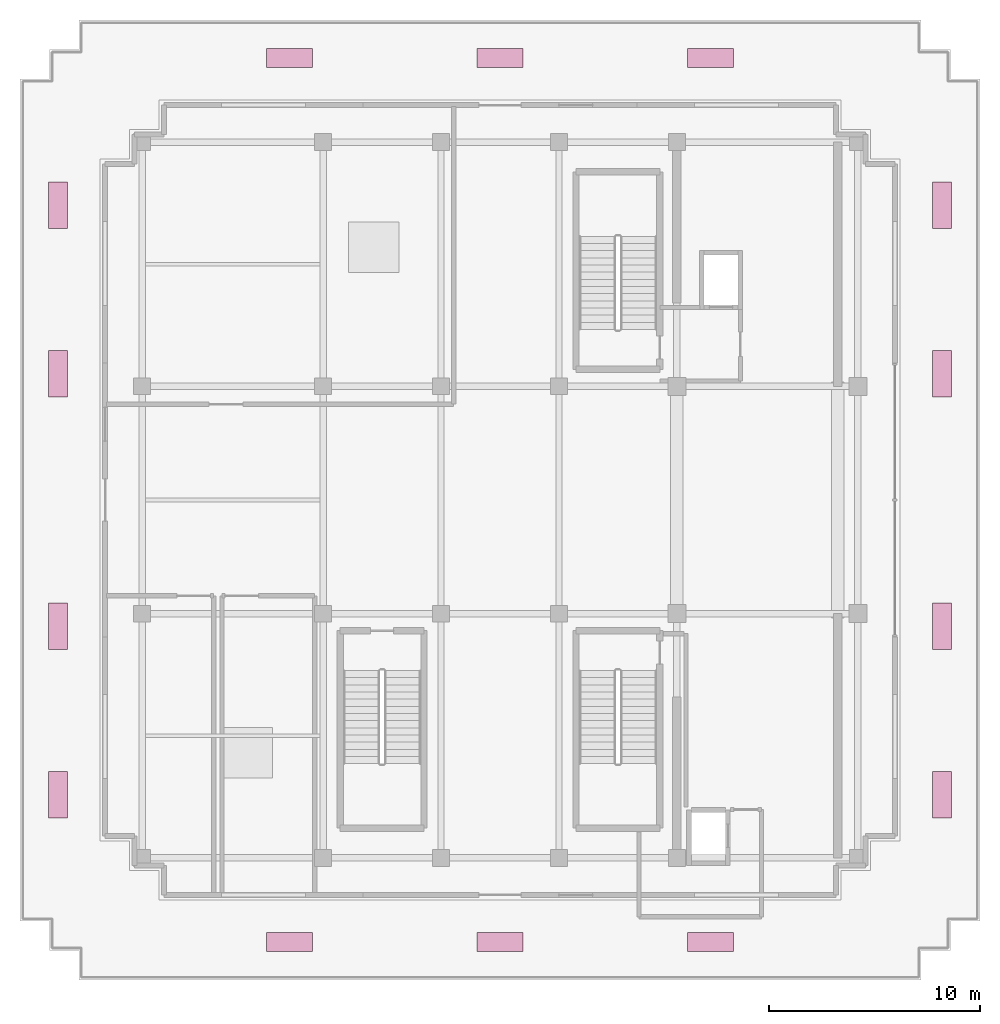
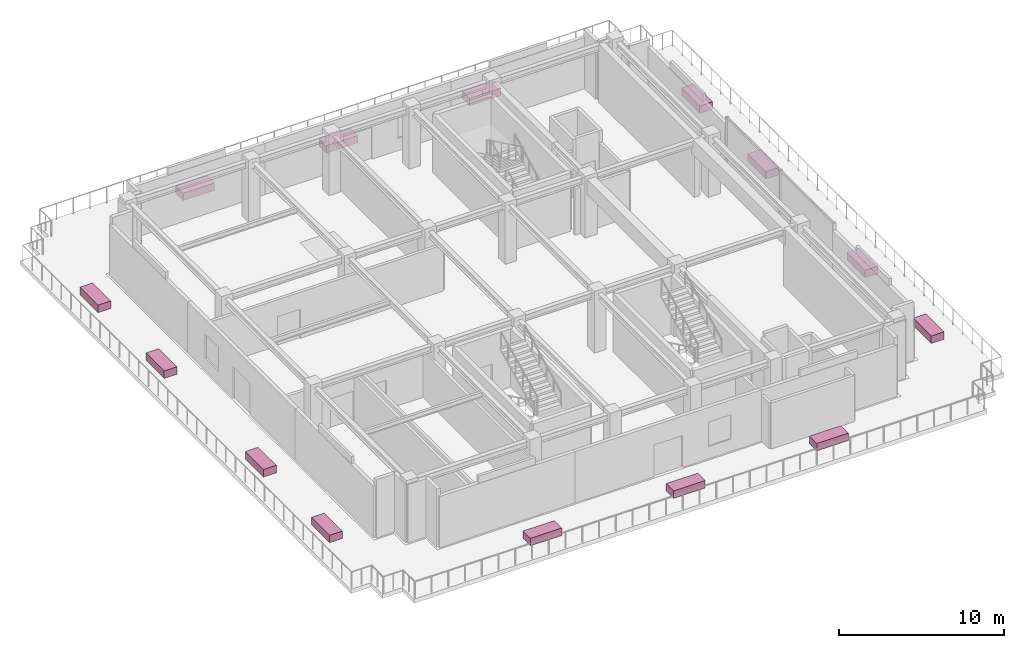
# One storey, part 13 of 13: 14 furnishings.
"""IFC4 building model written with IfcOpenShell, lengths in metres."""

from ifc_helpers import new_model, si_unit, direction, frame, origin, origin_2d, place, context, subcontext, project, spatial, rectangle, extrude, source, transform, mapped, material, type_object, element, save


model = new_model("IFC4")

# Units and contexts
model_context = context("Model", 3, precision=1e-05, world=origin(), true_north=direction((0.0, 1.0)))
body_context = subcontext(model_context, "Body", "Model", "MODEL_VIEW")
ifc_project = project(units=[si_unit("LENGTHUNIT", "METRE"), si_unit("AREAUNIT", "SQUARE_METRE"), si_unit("VOLUMEUNIT", "CUBIC_METRE"), si_unit("PLANEANGLEUNIT", "RADIAN"), si_unit("MASSUNIT", "GRAM", prefix="KILO")], contexts=[model_context])

# Site, building, storey
site_placement = place(None, origin())
site = spatial("IfcSite", under=ifc_project, at=site_placement, CompositionType="ELEMENT")
building_placement = place(site_placement, origin())
building = spatial("IfcBuilding", under=site, at=building_placement, Name="Nahalor Promenade Grand Hotel", CompositionType="ELEMENT")
storey_placement = place(building_placement, frame((0.0, 0.0, 357.050048828125)))
storey = spatial("IfcBuildingStorey", under=building, at=storey_placement, Name="L91", CompositionType="ELEMENT", Elevation=357.050048828125)

# Furnishings
ifc_material = material(Name="Vegetated Volcanic-Lapilli Tree Planter", Category="earth")
furnishing_element_type = type_object("IfcFurnishingElementType", Name="Planter-VerticalForest-Box", material=ifc_material)
shared_shape = source(origin(), body_context, "Body", "SweptSolid", [
    extrude(rectangle(XDim=2.199951171875, YDim=0.89990234375, at=origin_2d()), origin(), (0.0, 0.0, 1.0), 0.550048828125),
])
for number, where, z_axis, x_axis, name in (
    (1, (-21.0, -14.0, 0.0), (0.0, 0.0, 1.0), (0.0, 1.0, 0.0), "L91 Sky Garden Structural Tree Planter 01"),
    (2, (-21.0, -6.0, 0.0), (0.0, 0.0, 1.0), (0.0, 1.0, 0.0), "L91 Sky Garden Structural Tree Planter 02"),
    (3, (-21.0, 6.0, 0.0), (0.0, 0.0, 1.0), (0.0, 1.0, 0.0), "L91 Sky Garden Structural Tree Planter 03"),
    (4, (-21.0, 14.0, 0.0), (0.0, 0.0, 1.0), (0.0, 1.0, 0.0), "L91 Sky Garden Structural Tree Planter 04"),
    (5, (21.0, -14.0, 0.0), (0.0, 0.0, 1.0), (0.0, 1.0, 0.0), "L91 Sky Garden Structural Tree Planter 05"),
    (6, (21.0, -6.0, 0.0), (0.0, 0.0, 1.0), (0.0, 1.0, 0.0), "L91 Sky Garden Structural Tree Planter 06"),
    (7, (21.0, 6.0, 0.0), (0.0, 0.0, 1.0), (0.0, 1.0, 0.0), "L91 Sky Garden Structural Tree Planter 07"),
    (8, (21.0, 14.0, 0.0), (0.0, 0.0, 1.0), (0.0, 1.0, 0.0), "L91 Sky Garden Structural Tree Planter 08"),
    (9, (-10.0, -21.0, 0.0), (0.0, 0.0, 1.0), (1.0, 0.0, 0.0), "L91 Sky Garden Structural Tree Planter 09"),
    (10, (0.0, -21.0, 0.0), (0.0, 0.0, 1.0), (1.0, 0.0, 0.0), "L91 Sky Garden Structural Tree Planter 10"),
    (11, (10.0, -21.0, 0.0), (0.0, 0.0, 1.0), (1.0, 0.0, 0.0), "L91 Sky Garden Structural Tree Planter 11"),
    (12, (-10.0, 21.0, 0.0), (0.0, 0.0, 1.0), (1.0, 0.0, 0.0), "L91 Sky Garden Structural Tree Planter 12"),
    (13, (0.0, 21.0, 0.0), (0.0, 0.0, 1.0), (1.0, 0.0, 0.0), "L91 Sky Garden Structural Tree Planter 13"),
    (14, (10.0, 21.0, 0.0), (0.0, 0.0, 1.0), (1.0, 0.0, 0.0), "L91 Sky Garden Structural Tree Planter 14"),
):
    element("IfcFurnishingElement", number, at=place(storey_placement, frame(where, z_axis=z_axis, x_axis=x_axis)), inside=storey, type_object=furnishing_element_type, Name=name, ObjectType="PLANTER", context=body_context, shape_type="MappedRepresentation", body=[
        mapped(shared_shape, transform((0.0, 0.0, 0.0), scale=1.0)),
    ])

save(model, "model.ifc")
